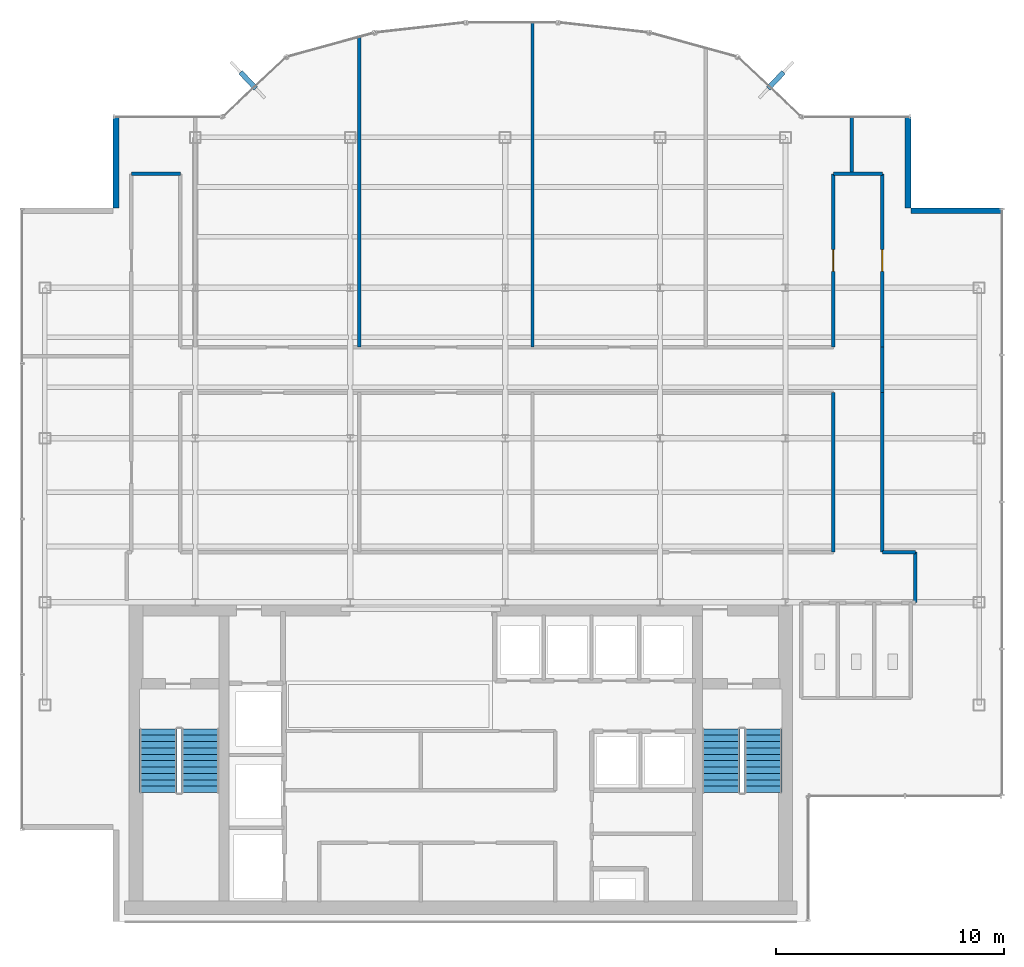
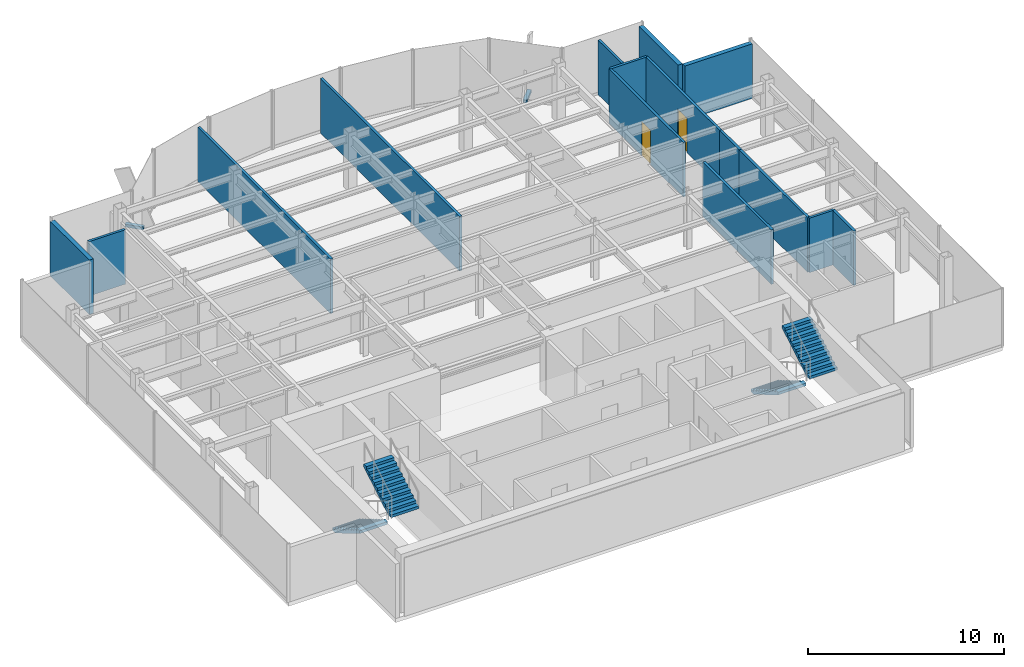
# One storey, part 19 of 22: 15 walls, 4 stair flights, 2 discrete accessories, 2 doors, 2 openings, 2 elements without a shape of their own.
"""IFC4 building model written with IfcOpenShell, lengths in metres."""

from ifc_helpers import new_model, si_unit, derived_unit, direction, frame, frame_2d, origin, origin_2d, place, context, subcontext, project, spatial, polyline, rectangle, outline, extrude, source, transform, mapped, material, layer, layer_set, type_object, element, fill, aggregate, save


model = new_model("IFC4")

# Units and contexts
model_context = context("Model", 3, precision=1e-05, world=origin(), true_north=direction((0.0, 1.0)))
body_context = subcontext(model_context, "Body", "Model", "MODEL_VIEW")
ifc_project = project(units=[si_unit("LENGTHUNIT", "METRE"), si_unit("AREAUNIT", "SQUARE_METRE"), si_unit("VOLUMEUNIT", "CUBIC_METRE"), si_unit("PLANEANGLEUNIT", "RADIAN"), si_unit("MASSUNIT", "GRAM", prefix="KILO"), derived_unit("THERMALTRANSMITTANCEUNIT", [(si_unit("POWERUNIT", "WATT"), 1), (si_unit("LENGTHUNIT", "METRE"), -2), (si_unit("THERMODYNAMICTEMPERATUREUNIT", "KELVIN"), -1)])], contexts=[model_context])

# Site, building, storey
site_placement = place(None, origin())
site = spatial("IfcSite", under=ifc_project, at=site_placement, CompositionType="ELEMENT")
building_placement = place(site_placement, origin())
building = spatial("IfcBuilding", under=site, at=building_placement, Name="Skarnbrae Concourse Arena and Tower", CompositionType="ELEMENT")
storey_placement = place(building_placement, frame((0.0, 0.0, 251.5)))
storey = spatial("IfcBuildingStorey", under=building, at=storey_placement, Name="L65", CompositionType="ELEMENT", Elevation=251.5)

# Walls
ifc_material_1 = material(Name="Precast concrete 40 MPa (C40/50)", Category="concrete")
ifc_layer_1 = layer(ifc_material_1, 0.25)
ifc_layer_set_1 = layer_set([ifc_layer_1], Name="Precast concrete 40 MPa (C40/50)")
wall_type_1 = type_object("IfcWallType", Name="WALL-EXT-SPANDREL-250", PredefinedType="STANDARD", material=ifc_layer_set_1)
shared_shape_1 = source(origin(), body_context, "Body", "SweptSolid", [
    extrude(rectangle(XDim=4.0, YDim=0.25, at=frame_2d((2.0, 0.0))), origin(), (0.0, 0.0, 1.0), 3.39990234375),
])
for number, where, z_axis, x_axis, name in (
    (1, (43.0, 31.175048828125, 0.0), (0.0, 0.0, 1.0), (-1.0, 0.0, 0.0), "L65 Notched corner insulated return wall 05"),
    (2, (38.875, 31.300048828125, 0.0), (0.0, 0.0, 1.0), (0.0, 1.0, 0.0), "L65 Notched corner insulated return wall 06"),
    (3, (4.125, 35.300048828125, 0.0), (0.0, 0.0, 1.0), (0.0, -1.0, 0.0), "L65 Notched corner insulated return wall 16"),
):
    element("IfcWall", number, at=place(storey_placement, frame(where, z_axis=z_axis, x_axis=x_axis)), inside=storey, type_object=wall_type_1, Name=name, PredefinedType="STANDARD", context=body_context, shape_type="MappedRepresentation", body=[
        mapped(shared_shape_1, transform((0.0, 0.0, 0.0))),
    ])
ifc_material_2 = material(Name="Gypsum board on cold-formed steel studs", Category="steel")
ifc_layer_2 = layer(ifc_material_2, 0.14990234375)
ifc_layer_set_2 = layer_set([ifc_layer_2], Name="Gypsum board on cold-formed steel studs")
wall_type_2 = type_object("IfcWallType", Name="WALL-PART-150-1HR", PredefinedType="PARTITIONING", material=ifc_layer_set_2)
shared_shape_2 = source(origin(), body_context, "Body", "SweptSolid", [
    extrude(rectangle(XDim=2.199951171875, YDim=0.14990234375, at=frame_2d((1.10009765625, 0.0))), origin(), (0.0, 0.0, 1.0), 3.39990234375),
])
wall_1_placement = place(storey_placement, frame((39.199951171875, 16.199951171875, 0.0), z_axis=(0.0, 0.0, 1.0), x_axis=(0.0, -1.0, 0.0)))
element("IfcWall", 4, at=wall_1_placement, inside=storey, type_object=wall_type_2, Name="L65 Interior partition wall W-L65-COR-15", PredefinedType="PARTITIONING", context=body_context, shape_type="MappedRepresentation", body=[
    mapped(shared_shape_2, transform((0.0, 0.0, 0.0))),
])

# Wall, opening, door
shared_shape_3 = source(origin(), body_context, "Body", "SweptSolid", [
    extrude(rectangle(XDim=7.60009765625, YDim=0.14990234375, at=frame_2d((3.800048828125, 0.0))), origin(), (0.0, 0.0, 1.0), 3.39990234375),
])
wall_2_placement = place(storey_placement, frame((35.60009765625, 25.199951171875, 0.0), z_axis=(0.0, 0.0, 1.0), x_axis=(0.0, 1.0, 0.0)))
wall_2 = element("IfcWall", 5, at=wall_2_placement, inside=storey, type_object=wall_type_2, Name="L65 Interior partition wall W-L65-COR-09", PredefinedType="PARTITIONING", context=body_context, shape_type="MappedRepresentation", body=[
    mapped(shared_shape_3, transform((0.0, 0.0, 0.0))),
])
opening_1_placement = place(wall_2_placement, frame((3.324951171875, 0.0, 0.0)))
opening_1 = element("IfcOpeningElement", 6, at=opening_1_placement, cuts=wall_2, Name="Opening DT-04", PredefinedType="OPENING", context=body_context, shape_type="SweptSolid", body=[
    extrude(rectangle(XDim=0.949951171875, YDim=2.14990234375, at=frame_2d((0.47509765625, 1.074951171875))), frame((0.0, 0.0849609375, 0.0), z_axis=(0.0, -1.0, 0.0), x_axis=(1.0, 0.0, 0.0)), (0.0, 0.0, 1.0), 0.169921875),
])
ifc_material_3 = material(Name="Steel CSA G40.21 350W", Category="steel")
door_type = type_object("IfcDoorType", Name="DOOR-INT-950-45M", OperationType="NOTDEFINED", PredefinedType="DOOR", material=ifc_material_3)
shared_shape_4 = source(origin(), body_context, "Body", "SweptSolid", [
    extrude(rectangle(XDim=0.949951171875, YDim=2.14990234375, at=frame_2d((0.47509765625, 1.074951171875))), frame((0.0, 0.02490234375, 0.0), z_axis=(0.0, -1.0, 0.0), x_axis=(1.0, 0.0, 0.0)), (0.0, 0.0, 1.0), 0.050048828125),
])
door_1_placement = place(opening_1_placement, origin())
door_1 = element("IfcDoor", 7, at=door_1_placement, inside=storey, type_object=door_type, Name="D-1983 L65 Suite Door 09", OperationType="SINGLE_SWING_LEFT", OverallHeight=2.14990234375, OverallWidth=0.949951171875, PredefinedType="DOOR", context=body_context, shape_type="MappedRepresentation", body=[
    mapped(shared_shape_4, transform((0.0, 0.0, 0.0))),
])
fill(opening_1, door_1)

wall_3_placement = place(storey_placement, frame((37.75, 32.800048828125, 0.0), z_axis=(0.0, 0.0, 1.0), x_axis=(0.0, -1.0, 0.0)))
wall_3 = element("IfcWall", 8, at=wall_3_placement, inside=storey, type_object=wall_type_2, Name="L65 Interior partition wall W-L65-COR-11", PredefinedType="PARTITIONING", context=body_context, shape_type="MappedRepresentation", body=[
    mapped(shared_shape_3, transform((0.0, 0.0, 0.0))),
])
opening_2_placement = place(wall_3_placement, frame((3.324951171875, 0.0, 0.0)))
opening_2 = element("IfcOpeningElement", 9, at=opening_2_placement, cuts=wall_3, Name="Opening DT-04", PredefinedType="OPENING", context=body_context, shape_type="SweptSolid", body=[
    extrude(rectangle(XDim=0.949951171875, YDim=2.14990234375, at=frame_2d((0.47509765625, 1.074951171875))), frame((0.0, 0.0849609375, 0.0), z_axis=(0.0, -1.0, 0.0), x_axis=(1.0, 0.0, 0.0)), (0.0, 0.0, 1.0), 0.169921875),
])
door_2_placement = place(opening_2_placement, origin())
door_2 = element("IfcDoor", 10, at=door_2_placement, inside=storey, type_object=door_type, Name="D-1984 L65 Suite Door 10", OperationType="SINGLE_SWING_RIGHT", OverallHeight=2.14990234375, OverallWidth=0.949951171875, PredefinedType="DOOR", context=body_context, shape_type="MappedRepresentation", body=[
    mapped(shared_shape_4, transform((0.0, 0.0, 0.0))),
])
fill(opening_2, door_2)

# Walls
shared_shape_5 = source(origin(), body_context, "Body", "SweptSolid", [
    extrude(rectangle(XDim=1.449951171875, YDim=0.14990234375, at=frame_2d((0.72509765625, 0.0))), origin(), (0.0, 0.0, 1.0), 3.39990234375),
])
wall_4_placement = place(storey_placement, frame((37.75, 16.199951171875, 0.0), z_axis=(0.0, 0.0, 1.0), x_axis=(1.0, 0.0, 0.0)))
element("IfcWall", 11, at=wall_4_placement, inside=storey, type_object=wall_type_2, Name="L65 Interior partition wall W-L65-COR-14", PredefinedType="PARTITIONING", context=body_context, shape_type="MappedRepresentation", body=[
    mapped(shared_shape_5, transform((0.0, 0.0, 0.0))),
])
shared_shape_6 = source(origin(), body_context, "Body", "SweptSolid", [
    extrude(rectangle(XDim=7.0, YDim=0.14990234375, at=frame_2d((3.5, 0.0))), origin(), (0.0, 0.0, 1.0), 3.39990234375),
])
for number, where, z_axis, x_axis, name in (
    (12, (37.75, 23.199951171875, 0.0), (0.0, 0.0, 1.0), (0.0, -1.0, 0.0), "L65 Interior partition wall W-L65-COR-13"),
    (13, (35.60009765625, 16.199951171875, 0.0), (0.0, 0.0, 1.0), (0.0, 1.0, 0.0), "L65 Interior partition wall W-L65-COR-18"),
):
    element("IfcWall", number, at=place(storey_placement, frame(where, z_axis=z_axis, x_axis=x_axis)), inside=storey, type_object=wall_type_2, Name=name, PredefinedType="PARTITIONING", context=body_context, shape_type="MappedRepresentation", body=[
        mapped(shared_shape_6, transform((0.0, 0.0, 0.0))),
    ])
shared_shape_7 = source(origin(), body_context, "Body", "SweptSolid", [
    extrude(rectangle(XDim=2.0, YDim=0.14990234375, at=frame_2d((1.0, 0.0))), origin(), (0.0, 0.0, 1.0), 3.39990234375),
])
wall_5_placement = place(storey_placement, frame((37.75, 25.199951171875, 0.0), z_axis=(0.0, 0.0, 1.0), x_axis=(0.0, -1.0, 0.0)))
element("IfcWall", 14, at=wall_5_placement, inside=storey, type_object=wall_type_2, Name="L65 Interior partition wall W-L65-COR-12", PredefinedType="PARTITIONING", context=body_context, shape_type="MappedRepresentation", body=[
    mapped(shared_shape_7, transform((0.0, 0.0, 0.0))),
])
shared_shape_8 = source(origin(), body_context, "Body", "SweptSolid", [
    extrude(rectangle(XDim=2.14990234375, YDim=0.14990234375, at=frame_2d((1.074951171875, 0.0))), origin(), (0.0, 0.0, 1.0), 3.39990234375),
])
for number, where, z_axis, x_axis, name in (
    (15, (4.800048828125, 32.800048828125, 0.0), (0.0, 0.0, 1.0), (1.0, 0.0, 0.0), "L65 Interior partition wall W-L65-COR-06"),
    (16, (35.60009765625, 32.800048828125, 0.0), (0.0, 0.0, 1.0), (1.0, 0.0, 0.0), "L65 Interior partition wall W-L65-COR-10"),
):
    element("IfcWall", number, at=place(storey_placement, frame(where, z_axis=z_axis, x_axis=x_axis)), inside=storey, type_object=wall_type_2, Name=name, PredefinedType="PARTITIONING", context=body_context, shape_type="MappedRepresentation", body=[
        mapped(shared_shape_8, transform((0.0, 0.0, 0.0))),
    ])
ifc_layer_3 = layer(ifc_material_2, 0.14990234375)
ifc_layer_set_3 = layer_set([ifc_layer_3], Name="Gypsum board on cold-formed steel studs")
wall_type_3 = type_object("IfcWallType", Name="WALL-PART-150", PredefinedType="PARTITIONING", material=ifc_layer_set_3)
shared_shape_9 = source(origin(), body_context, "Body", "SweptSolid", [
    extrude(rectangle(XDim=13.590576171875, YDim=0.14990234375, at=frame_2d((6.79541015625, 0.0))), origin(), (0.0, 0.0, 1.0), 3.39990234375),
])
wall_6_placement = place(storey_placement, frame((14.800048828125, 38.79052734375, 0.0), z_axis=(0.0, 0.0, 1.0), x_axis=(0.0, -1.0, 0.0)))
element("IfcWall", 17, at=wall_6_placement, inside=storey, type_object=wall_type_3, Name="L65 Interior partition wall W-L65-DEM-24", PredefinedType="PARTITIONING", context=body_context, shape_type="MappedRepresentation", body=[
    mapped(shared_shape_9, transform((0.0, 0.0, 0.0))),
])
shared_shape_10 = source(origin(), body_context, "Body", "SweptSolid", [
    extrude(rectangle(XDim=14.226806640625, YDim=0.14990234375, at=frame_2d((7.11328125, 0.0))), origin(), (0.0, 0.0, 1.0), 3.39990234375),
])
wall_7_placement = place(storey_placement, frame((22.39990234375, 39.4267578125, 0.0), z_axis=(0.0, 0.0, 1.0), x_axis=(0.0, -1.0, 0.0)))
element("IfcWall", 18, at=wall_7_placement, inside=storey, type_object=wall_type_3, Name="L65 Interior partition wall W-L65-DEM-26", PredefinedType="PARTITIONING", context=body_context, shape_type="MappedRepresentation", body=[
    mapped(shared_shape_10, transform((0.0, 0.0, 0.0))),
])
shared_shape_11 = source(origin(), body_context, "Body", "SweptSolid", [
    extrude(rectangle(XDim=2.47998046875, YDim=0.14990234375, at=frame_2d((1.239990234375, 0.0))), origin(), (0.0, 0.0, 1.0), 3.39990234375),
])
wall_8_placement = place(storey_placement, frame((36.39990234375, 35.280029296875, 0.0), z_axis=(0.0, 0.0, 1.0), x_axis=(0.0, -1.0, 0.0)))
element("IfcWall", 19, at=wall_8_placement, inside=storey, type_object=wall_type_3, Name="L65 Interior partition wall W-L65-DEM-28", PredefinedType="PARTITIONING", context=body_context, shape_type="MappedRepresentation", body=[
    mapped(shared_shape_11, transform((0.0, 0.0, 0.0))),
])

# Stair, stair flights
ifc_material_4 = material(Name="Concrete 40 MPa (C40/50)", Category="concrete")
stair_type = type_object("IfcStairType", Name="STAIR-DOGLEG-1650", PredefinedType="HALF_TURN_STAIR", material=ifc_material_4)
stair_1_placement = place(storey_placement, origin())
stair_1 = element("IfcStair", 20, at=stair_1_placement, inside=storey, type_object=stair_type, Name="L65 Protected Exit Stair ST-1", PredefinedType="HALF_TURN_STAIR")
stair_flight_type = type_object("IfcStairFlightType", Name="FLIGHT-STRAIGHT-1650", PredefinedType="STRAIGHT", material=ifc_material_4)
shared_shape_12 = source(origin(), body_context, "Body", "SweptSolid", [
    extrude(outline(polyline([(0.0, 0.0), (0.0, 0.166015625), (0.280029296875, 0.166015625), (0.280029296875, 0.331787109375), (0.56005859375, 0.331787109375), (0.56005859375, 0.497802734375), (0.840087890625, 0.497802734375), (0.840087890625, 0.66357421875), (1.1201171875, 0.66357421875), (1.1201171875, 0.82958984375), (1.39990234375, 0.82958984375), (1.39990234375, 0.995361328125), (1.679931640625, 0.995361328125), (1.679931640625, 1.161376953125), (1.9599609375, 1.161376953125), (1.9599609375, 1.327392578125), (2.239990234375, 1.327392578125), (2.239990234375, 1.4931640625), (2.52001953125, 1.4931640625), (2.52001953125, 1.6591796875), (2.800048828125, 1.6591796875), (2.800048828125, 1.824951171875), (2.800048828125, 1.48486328125), (0.2939453125, 0.0), (0.0, 0.0)])), frame((0.0, 0.824951171875, 0.0), z_axis=(0.0, -1.0, 0.0), x_axis=(1.0, 0.0, 0.0)), (0.0, 0.0, 1.0), 1.64990234375),
])
stair_flight_1_placement = place(storey_placement, frame((5.97509765625, 8.449951171875, 0.0), z_axis=(0.0, 0.0, 1.0), x_axis=(0.0, -1.0, 0.0)))
stair_flight_1 = element("IfcStairFlight", 21, at=stair_flight_1_placement, type_object=stair_flight_type, Name="ST-1 flight 1", NumberOfRisers=11, NumberOfTreads=10, PredefinedType="STRAIGHT", RiserHeight=0.165909091, TreadLength=0.28, context=body_context, shape_type="MappedRepresentation", body=[
    mapped(shared_shape_12, transform((0.0, 0.0, 0.0))),
])
stair_flight_2_placement = place(storey_placement, frame((7.824951171875, 5.64990234375, 1.824951171875), z_axis=(0.0, 0.0, 1.0), x_axis=(0.0, 1.0, 0.0)))
stair_flight_2 = element("IfcStairFlight", 22, at=stair_flight_2_placement, type_object=stair_flight_type, Name="ST-1 flight 2", NumberOfRisers=11, NumberOfTreads=10, PredefinedType="STRAIGHT", RiserHeight=0.165909091, TreadLength=0.28, context=body_context, shape_type="MappedRepresentation", body=[
    mapped(shared_shape_12, transform((0.0, 0.0, 0.0))),
])
aggregate(stair_1, [stair_flight_1, stair_flight_2])

stair_2_placement = place(storey_placement, origin())
stair_2 = element("IfcStair", 23, at=stair_2_placement, inside=storey, type_object=stair_type, Name="L65 Protected Exit Stair ST-2", PredefinedType="HALF_TURN_STAIR")
stair_flight_3_placement = place(storey_placement, frame((30.675048828125, 8.449951171875, 0.0), z_axis=(0.0, 0.0, 1.0), x_axis=(0.0, -1.0, 0.0)))
stair_flight_3 = element("IfcStairFlight", 24, at=stair_flight_3_placement, type_object=stair_flight_type, Name="ST-2 flight 1", NumberOfRisers=11, NumberOfTreads=10, PredefinedType="STRAIGHT", RiserHeight=0.165909091, TreadLength=0.28, context=body_context, shape_type="MappedRepresentation", body=[
    mapped(shared_shape_12, transform((0.0, 0.0, 0.0))),
])
stair_flight_4_placement = place(storey_placement, frame((32.52490234375, 5.64990234375, 1.824951171875), z_axis=(0.0, 0.0, 1.0), x_axis=(0.0, 1.0, 0.0)))
stair_flight_4 = element("IfcStairFlight", 25, at=stair_flight_4_placement, type_object=stair_flight_type, Name="ST-2 flight 2", NumberOfRisers=11, NumberOfTreads=10, PredefinedType="STRAIGHT", RiserHeight=0.165909091, TreadLength=0.28, context=body_context, shape_type="MappedRepresentation", body=[
    mapped(shared_shape_12, transform((0.0, 0.0, 0.0))),
])
aggregate(stair_2, [stair_flight_3, stair_flight_4])

# Discrete accessories
ifc_material_5 = material(Name="Bronze anodised aluminium 6063-T6", Category="aluminium")
discrete_accessory_type = type_object("IfcDiscreteAccessoryType", Name="ACC-FIN-BRACKET", PredefinedType="BRACKET", material=ifc_material_5)
shared_shape_13 = source(origin(), body_context, "Body", "SweptSolid", [
    extrude(rectangle(XDim=0.219970703125, YDim=0.97998046875, at=origin_2d()), origin(), (0.0, 0.0, 1.0), 0.179931640625),
])
for number, where, z_axis, x_axis, name in (
    (26, (33.0791015625, 36.904541015625, -0.02978515625), (0.0, 0.0, 1.0), (0.728131751529, -0.685437198009, 0.0), "L65 Bronze fin foot support bracket 08"),
    (27, (9.9208984375, 36.904541015625, -0.02978515625), (0.0, 0.0, 1.0), (0.728131751529, 0.685437198009, 0.0), "L65 Bronze fin foot support bracket 14"),
):
    element("IfcDiscreteAccessory", number, at=place(storey_placement, frame(where, z_axis=z_axis, x_axis=x_axis)), inside=storey, type_object=discrete_accessory_type, Name=name, PredefinedType="BRACKET", context=body_context, shape_type="MappedRepresentation", body=[
        mapped(shared_shape_13, transform((0.0, 0.0, 0.0))),
    ])

save(model, "model.ifc")
